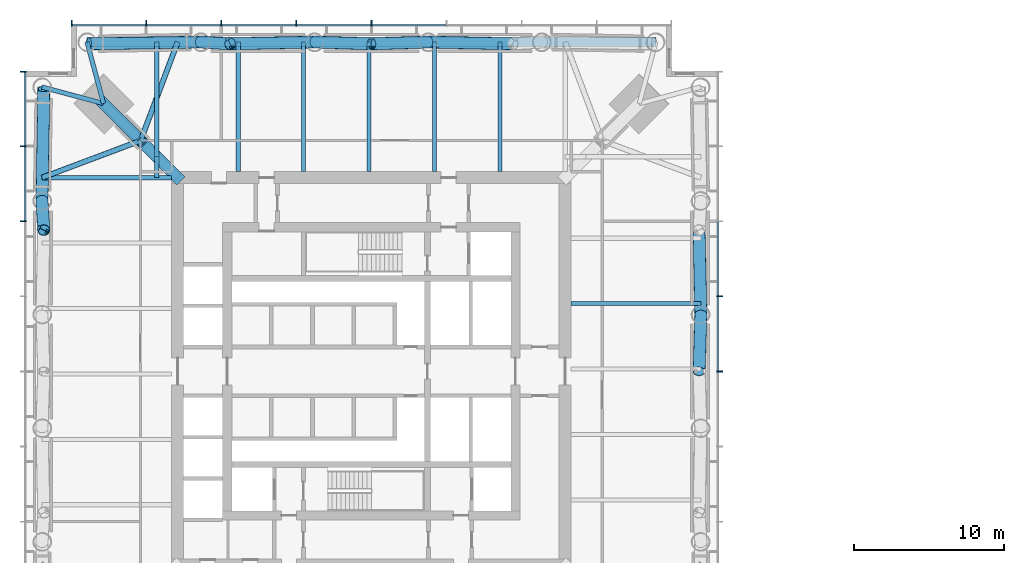
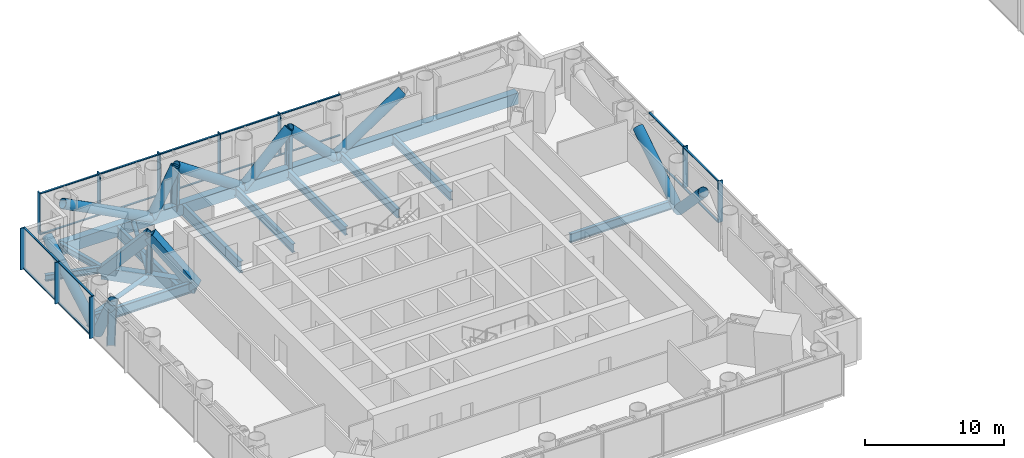
# One storey, part 4 of 18: 48 members, 11 beams, 3 elements without a shape of their own.
"""IFC4 building model written with IfcOpenShell, lengths in metres."""

from ifc_helpers import new_model, si_unit, direction, frame, origin, origin_2d, place, context, subcontext, project, spatial, rectangle, hollow_rectangle, hollow_circle, i_section, extrude, material, material_profile, profile_set, type_object, element, aggregate, save


model = new_model("IFC4")

# Units and contexts
model_context = context("Model", 3, precision=1e-05, world=origin(), true_north=direction((0.0, 1.0)))
body_context = subcontext(model_context, "Body", "Model", "MODEL_VIEW")
ifc_project = project(units=[si_unit("LENGTHUNIT", "METRE"), si_unit("AREAUNIT", "SQUARE_METRE"), si_unit("VOLUMEUNIT", "CUBIC_METRE"), si_unit("PLANEANGLEUNIT", "RADIAN"), si_unit("MASSUNIT", "GRAM", prefix="KILO")], contexts=[model_context])

# Site, building, storey
site_placement = place(None, origin())
site = spatial("IfcSite", under=ifc_project, at=site_placement, CompositionType="ELEMENT")
building_placement = place(site_placement, origin())
building = spatial("IfcBuilding", under=site, at=building_placement, Name="Ostroluk Exchange", CompositionType="ELEMENT")
storey_placement = place(building_placement, frame((0.0, 0.0, 85.60009765625)))
storey = spatial("IfcBuildingStorey", under=building, at=storey_placement, Name="L21", CompositionType="ELEMENT", Elevation=85.60009765625)

# Members
ifc_material_1 = material(Name="Steel S460", Category="steel")
ifc_material_profile_1 = material_profile(ifc_material_1, hollow_rectangle(XDim=0.60009765625, YDim=1.0, WallThickness=0.06005859375, at=origin_2d()), Name="BOX 600x1000x60")
ifc_profile_set_1 = profile_set([ifc_material_profile_1], Name="Steel S460")
member_type_1 = type_object("IfcMemberType", Name="Belt truss chord BOX 600x1000x60", PredefinedType="CHORD", material=ifc_profile_set_1)
member_1_placement = place(storey_placement, frame((63.935791015625, 67.935791015625, -0.780029296875), z_axis=(-1.0, 0.0, 0.0), x_axis=(0.0, -1.0, 0.0)))
element("IfcMember", 1, at=member_1_placement, inside=storey, type_object=member_type_1, Name="Belt truss 1 north chord 2", PredefinedType="CHORD", context=body_context, shape_type="SweptSolid", body=[
    extrude(hollow_rectangle(XDim=0.60009765625, YDim=1.0, WallThickness=0.06005859375, at=origin_2d()), origin(), (0.0, 0.0, 1.0), 37.87158203125),
])
ifc_material_2 = material(Name="Steel S460", Category="steel")
ifc_material_profile_2 = material_profile(ifc_material_2, hollow_circle(Radius=0.406494140625, WallThickness=0.030029296875, at=origin_2d()), Name="CHS 813x30")
ifc_profile_set_2 = profile_set([ifc_material_profile_2], Name="Steel S460")
member_type_2 = type_object("IfcMemberType", Name="Belt truss diagonal CHS 813x30", PredefinedType="BRACE", material=ifc_profile_set_2)
member_2_placement = place(storey_placement, frame((66.935791015625, 49.787109375, -0.780029296875), z_axis=(-0.022419112202, -0.69832383229, 0.715430785376), x_axis=(0.999485058916, -0.032087645651, 0.0)))
element("IfcMember", 2, at=member_2_placement, inside=storey, type_object=member_type_2, Name="Belt truss 1 east diagonal 2.5", PredefinedType="BRACE", context=body_context, shape_type="SweptSolid", body=[
    extrude(hollow_circle(Radius=0.406494140625, WallThickness=0.030029296875, at=origin_2d()), origin(), (0.0, 0.0, 1.0), 5.423095703125),
])
for number, where, z_axis, x_axis, name in (
    (3, (66.935791015625, 49.787109375, -0.780029296875), (-0.017800204783, 0.822812678906, 0.568033844187), (-0.999766080921, -0.021628301837, 0.0), "Belt truss 1 east diagonal 2.6"),
    (4, (48.787109375, 67.935791015625, -0.780029296875), (0.822812678906, -0.017800204783, 0.568033844187), (0.021628301837, 0.999766080921, 0.0), "Belt truss 1 north diagonal 2.3"),
):
    element("IfcMember", number, at=place(storey_placement, frame(where, z_axis=z_axis, x_axis=x_axis)), inside=storey, type_object=member_type_2, Name=name, PredefinedType="BRACE", context=body_context, shape_type="SweptSolid", body=[
        extrude(hollow_circle(Radius=0.406494140625, WallThickness=0.030029296875, at=origin_2d()), origin(), (0.0, 0.0, 1.0), 6.830322265625),
    ])
for number, where, z_axis, x_axis, name in (
    (5, (48.787109375, 67.935791015625, -0.780029296875), (-0.69832383229, -0.022419112202, 0.715430785376), (0.032087645651, -0.999485058916, 0.0), "Belt truss 1 north diagonal 2.4"),
    (6, (41.212890625, 67.935791015625, -0.780029296875), (0.69832383229, -0.022419112202, 0.715430785376), (0.032087645651, 0.999485058916, 0.0), "Belt truss 1 north diagonal 2.5"),
):
    element("IfcMember", number, at=place(storey_placement, frame(where, z_axis=z_axis, x_axis=x_axis)), inside=storey, type_object=member_type_2, Name=name, PredefinedType="BRACE", context=body_context, shape_type="SweptSolid", body=[
        extrude(hollow_circle(Radius=0.406494140625, WallThickness=0.030029296875, at=origin_2d()), origin(), (0.0, 0.0, 1.0), 5.423095703125),
    ])
member_3_placement = place(storey_placement, frame((41.212890625, 67.935791015625, -0.780029296875), z_axis=(-0.822812678906, -0.017800204783, 0.568033844187), x_axis=(0.021628301837, -0.999766080921, 0.0)))
element("IfcMember", 7, at=member_3_placement, inside=storey, type_object=member_type_2, Name="Belt truss 1 north diagonal 2.6", PredefinedType="BRACE", context=body_context, shape_type="SweptSolid", body=[
    extrude(hollow_circle(Radius=0.406494140625, WallThickness=0.030029296875, at=origin_2d()), origin(), (0.0, 0.0, 1.0), 6.830322265625),
])
member_4_placement = place(storey_placement, frame((33.638671875, 67.935791015625, -0.780029296875), z_axis=(0.449643277912, -0.027976305897, 0.892769986579), x_axis=(0.062098808504, 0.998070006554, 0.0)))
element("IfcMember", 8, at=member_4_placement, inside=storey, type_object=member_type_2, Name="Belt truss 1 north diagonal 2.7", PredefinedType="BRACE", context=body_context, shape_type="SweptSolid", body=[
    extrude(hollow_circle(Radius=0.406494140625, WallThickness=0.030029296875, at=origin_2d()), origin(), (0.0, 0.0, 1.0), 4.345947265625),
])
for number, where, z_axis, x_axis, name in (
    (9, (33.638671875, 67.935791015625, -0.780029296875), (-0.886910254783, -0.014468546103, 0.461715129853), (0.016311257162, -0.999866962595, 0.0), "Belt truss 1 north diagonal 2.8"),
    (10, (23.064208984375, 57.361328125, -0.780029296875), (0.014468546103, 0.886910254783, 0.461715129853), (-0.999866962595, 0.016311257162, 0.0), "Belt truss 1 west diagonal 2.1"),
):
    element("IfcMember", number, at=place(storey_placement, frame(where, z_axis=z_axis, x_axis=x_axis)), inside=storey, type_object=member_type_2, Name=name, PredefinedType="BRACE", context=body_context, shape_type="SweptSolid", body=[
        extrude(hollow_circle(Radius=0.406494140625, WallThickness=0.030029296875, at=origin_2d()), origin(), (0.0, 0.0, 1.0), 8.403076171875),
    ])
member_5_placement = place(storey_placement, frame((23.064208984375, 57.361328125, -0.780029296875), z_axis=(0.027976305897, -0.449643277912, 0.892769986579), x_axis=(0.998070006554, 0.062098808504, 0.0)))
element("IfcMember", 11, at=member_5_placement, inside=storey, type_object=member_type_2, Name="Belt truss 1 west diagonal 2.2", PredefinedType="BRACE", context=body_context, shape_type="SweptSolid", body=[
    extrude(hollow_circle(Radius=0.406494140625, WallThickness=0.030029296875, at=origin_2d()), origin(), (0.0, 0.0, 1.0), 4.345947265625),
])
ifc_material_3 = material(Name="Steel S460", Category="steel")
ifc_material_profile_3 = material_profile(ifc_material_3, i_section(OverallWidth=0.304931640625, OverallDepth=0.6201171875, WebThickness=0.02099609375, FlangeThickness=0.0400390625, FilletRadius=0.027099609375, at=origin_2d()), Name="HEM 600")
ifc_profile_set_3 = profile_set([ifc_material_profile_3], Name="Steel S460")
member_type_3 = type_object("IfcMemberType", Name="Belt truss post HEM 600", PredefinedType="POST", material=ifc_profile_set_3)
member_6_placement = place(storey_placement, frame((45.0, 67.935791015625, -0.780029296875), z_axis=(0.0, -0.031321146962, 0.999509372519), x_axis=(1.0, 0.0, 0.0)))
element("IfcMember", 12, at=member_6_placement, inside=storey, type_object=member_type_3, Name="Belt truss 1 north post 2.4", PredefinedType="POST", context=body_context, shape_type="SweptSolid", body=[
    extrude(i_section(OverallWidth=0.304931640625, OverallDepth=0.6201171875, WebThickness=0.02099609375, FlangeThickness=0.0400390625, FilletRadius=0.027099609375, at=origin_2d()), origin(), (0.0, 0.0, 1.0), 3.8818359375),
])
for number, where, z_axis, x_axis, name in (
    (13, (35.5322265625, 67.935791015625, -0.780029296875), (0.015595782596, -0.031317337633, 0.999387810576), (0.895145027055, 0.445775033553, 0.0), "Belt truss 1 north post 2.6"),
    (14, (23.064208984375, 55.4677734375, -0.780029296875), (0.031317337633, -0.015595782596, 0.999387810576), (0.445775033553, 0.895145027055, 0.0), "Belt truss 1 west post 2.2"),
):
    element("IfcMember", number, at=place(storey_placement, frame(where, z_axis=z_axis, x_axis=x_axis)), inside=storey, type_object=member_type_3, Name=name, PredefinedType="POST", context=body_context, shape_type="SweptSolid", body=[
        extrude(i_section(OverallWidth=0.304931640625, OverallDepth=0.6201171875, WebThickness=0.02099609375, FlangeThickness=0.0400390625, FilletRadius=0.027099609375, at=origin_2d()), origin(), (0.0, 0.0, 1.0), 3.88232421875),
    ])

# Beams
ifc_material_4 = material(Name="Steel S355", Category="steel")
ifc_material_profile_4 = material_profile(ifc_material_4, i_section(OverallWidth=0.300048828125, OverallDepth=0.550048828125, WebThickness=0.014892578125, FlangeThickness=0.029052734375, FilletRadius=0.027099609375, at=origin_2d()), Name="HEB 550")
ifc_profile_set_4 = profile_set([ifc_material_profile_4], Name="Steel S355")
beam_type_1 = type_object("IfcBeamType", Name="Corner edge beam HEB 550", PredefinedType="SPANDREL", material=ifc_profile_set_4)
for number, where, z_axis, x_axis, name in (
    (15, (27.164306640625, 63.835693359375, -0.55517578125), (-0.259144268261, 0.965838624319, 0.0), (-0.965838624319, -0.259144268261, 0.0), "T1 north corner edge beam a"),
    (16, (27.164306640625, 63.835693359375, -0.55517578125), (-0.965838624319, 0.259144268261, 0.0), (-0.259144268261, -0.965838624319, 0.0), "T1 north corner edge beam b"),
):
    element("IfcBeam", number, at=place(storey_placement, frame(where, z_axis=z_axis, x_axis=x_axis)), inside=storey, type_object=beam_type_1, Name=name, PredefinedType="SPANDREL", context=body_context, shape_type="SweptSolid", body=[
        extrude(i_section(OverallWidth=0.300048828125, OverallDepth=0.550048828125, WebThickness=0.014892578125, FlangeThickness=0.029052734375, FilletRadius=0.027099609375, at=origin_2d()), origin(), (0.0, 0.0, 1.0), 4.2451171875),
    ])
ifc_material_5 = material(Name="Steel S355", Category="steel")
ifc_material_profile_5 = material_profile(ifc_material_5, i_section(OverallWidth=0.302001953125, OverallDepth=1.008056640625, WebThickness=0.02099609375, FlangeThickness=0.0400390625, FilletRadius=0.030029296875, at=origin_2d()), Name="HEM 1000")
ifc_profile_set_5 = profile_set([ifc_material_profile_5], Name="Steel S355")
beam_type_2 = type_object("IfcBeamType", Name="Floor beam HEM 1000", PredefinedType="BEAM", material=ifc_profile_set_5)
beam_1_placement = place(storey_placement, frame((36.127685546875, 59.300048828125, -0.7841796875), z_axis=(0.0, 1.0, 0.0), x_axis=(-1.0, 0.0, 0.0)))
element("IfcBeam", 17, at=beam_1_placement, inside=storey, type_object=beam_type_2, Name="T1 north floor beam 5", PredefinedType="BEAM", context=body_context, shape_type="SweptSolid", body=[
    extrude(i_section(OverallWidth=0.302001953125, OverallDepth=1.008056640625, WebThickness=0.02099609375, FlangeThickness=0.0400390625, FilletRadius=0.030029296875, at=origin_2d()), origin(), (0.0, 0.0, 1.0), 8.6357421875),
])
beam_2_placement = place(storey_placement, frame((30.699951171875, 58.89990234375, -0.7841796875), z_axis=(0.0, 1.0, 0.0), x_axis=(-1.0, 0.0, 0.0)))
element("IfcBeam", 18, at=beam_2_placement, inside=storey, type_object=beam_type_2, Name="T1 north floor beam 6", PredefinedType="BEAM", context=body_context, shape_type="SweptSolid", body=[
    extrude(i_section(OverallWidth=0.302001953125, OverallDepth=1.008056640625, WebThickness=0.02099609375, FlangeThickness=0.0400390625, FilletRadius=0.030029296875, at=origin_2d()), origin(), (0.0, 0.0, 1.0), 1.400146484375),
])
beam_3_placement = place(storey_placement, frame((30.699951171875, 60.300048828125, -0.7841796875), z_axis=(0.0, 1.0, 0.0), x_axis=(-1.0, 0.0, 0.0)))
element("IfcBeam", 19, at=beam_3_placement, inside=storey, type_object=beam_type_2, Name="T1 north floor beam 6", PredefinedType="BEAM", context=body_context, shape_type="SweptSolid", body=[
    extrude(i_section(OverallWidth=0.302001953125, OverallDepth=1.008056640625, WebThickness=0.02099609375, FlangeThickness=0.0400390625, FilletRadius=0.030029296875, at=origin_2d()), origin(), (0.0, 0.0, 1.0), 7.6357421875),
])
ifc_material_6 = material(Name="Steel S355", Category="steel")
ifc_material_profile_6 = material_profile(ifc_material_6, i_section(OverallWidth=0.26708984375, OverallDepth=0.761962890625, WebThickness=0.014404296875, FlangeThickness=0.021484375, FilletRadius=0.01708984375, at=origin_2d()), Name="IPE 750x173")
ifc_profile_set_6 = profile_set([ifc_material_profile_6], Name="Steel S355")
beam_type_3 = type_object("IfcBeamType", Name="Floor beam IPE 750x173", PredefinedType="BEAM", material=ifc_profile_set_6)
for number, where, z_axis, x_axis, name in (
    (20, (58.300048828125, 50.517822265625, -0.6611328125), (1.0, 0.0, 0.0), (0.0, 1.0, 0.0), "T1 east floor beam 4"),
    (21, (53.545654296875, 59.300048828125, -0.6611328125), (0.0, 1.0, 0.0), (-1.0, 0.0, 0.0), "T1 north floor beam 1"),
    (22, (49.191162109375, 59.300048828125, -0.6611328125), (0.0, 1.0, 0.0), (-1.0, 0.0, 0.0), "T1 north floor beam 2"),
    (23, (44.836669921875, 59.300048828125, -0.6611328125), (0.0, 1.0, 0.0), (-1.0, 0.0, 0.0), "T1 north floor beam 3"),
    (24, (40.482177734375, 59.300048828125, -0.6611328125), (0.0, 1.0, 0.0), (-1.0, 0.0, 0.0), "T1 north floor beam 4"),
):
    element("IfcBeam", number, at=place(storey_placement, frame(where, z_axis=z_axis, x_axis=x_axis)), inside=storey, type_object=beam_type_3, Name=name, PredefinedType="BEAM", context=body_context, shape_type="SweptSolid", body=[
        extrude(i_section(OverallWidth=0.26708984375, OverallDepth=0.761962890625, WebThickness=0.014404296875, FlangeThickness=0.021484375, FilletRadius=0.01708984375, at=origin_2d()), origin(), (0.0, 0.0, 1.0), 8.6357421875),
    ])
ifc_material_7 = material(Name="Steel S355", Category="steel")
ifc_material_profile_7 = material_profile(ifc_material_7, i_section(OverallWidth=0.300048828125, OverallDepth=0.89990234375, WebThickness=0.0185546875, FlangeThickness=0.034912109375, FilletRadius=0.030029296875, at=origin_2d()), Name="HEB 900")
ifc_profile_set_7 = profile_set([ifc_material_profile_7], Name="Steel S355")
beam_type_4 = type_object("IfcBeamType", Name="Girder HEB 900", PredefinedType="BEAM", material=ifc_profile_set_7)
beam_4_placement = place(storey_placement, frame((31.699951171875, 58.89990234375, -0.72998046875), z_axis=(-1.0, 0.0, 0.0), x_axis=(0.0, -1.0, 0.0)))
element("IfcBeam", 25, at=beam_4_placement, inside=storey, type_object=beam_type_4, Name="T1 north girder", PredefinedType="BEAM", context=body_context, shape_type="SweptSolid", body=[
    extrude(i_section(OverallWidth=0.300048828125, OverallDepth=0.89990234375, WebThickness=0.0185546875, FlangeThickness=0.034912109375, FilletRadius=0.030029296875, at=origin_2d()), origin(), (0.0, 0.0, 1.0), 8.6357421875),
])

# Members
ifc_material_8 = material(Name="Steel S460", Category="steel")
ifc_material_profile_8 = material_profile(ifc_material_8, hollow_rectangle(XDim=0.60009765625, YDim=1.0, WallThickness=0.06005859375, at=origin_2d()), Name="BOX 600x1000x60")
ifc_profile_set_8 = profile_set([ifc_material_profile_8], Name="Steel S460")
member_type_4 = type_object("IfcMemberType", Name="Outrigger chord BOX 600x1000x60", PredefinedType="CHORD", material=ifc_profile_set_8)
member_7_placement = place(storey_placement, frame((32.10009765625, 58.89990234375, -0.780029296875), z_axis=(-0.707106781187, 0.707106781187, 0.0), x_axis=(-0.707106781187, -0.707106781187, 0.0)))
element("IfcMember", 26, at=member_7_placement, inside=storey, type_object=member_type_4, Name="Outrigger 1 NW chord 2", PredefinedType="CHORD", context=body_context, shape_type="SweptSolid", body=[
    extrude(hollow_rectangle(XDim=0.60009765625, YDim=1.0, WallThickness=0.06005859375, at=origin_2d()), origin(), (0.0, 0.0, 1.0), 6.980224609375),
])
ifc_material_9 = material(Name="Steel S460", Category="steel")
ifc_material_profile_9 = material_profile(ifc_material_9, hollow_rectangle(XDim=0.800048828125, YDim=0.800048828125, WallThickness=0.050048828125, at=origin_2d()), Name="BOX 800x800x50")
ifc_profile_set_9 = profile_set([ifc_material_profile_9], Name="Steel S460")
member_type_5 = type_object("IfcMemberType", Name="Outrigger diagonal BOX 800x800x50", PredefinedType="BRACE", material=ifc_profile_set_9)
member_8_placement = place(storey_placement, frame((32.10009765625, 58.89990234375, -0.780029296875), z_axis=(-0.46636467632, 0.46636467632, 0.751670125362), x_axis=(-0.707106781187, -0.707106781187, 0.0)))
element("IfcMember", 27, at=member_8_placement, inside=storey, type_object=member_type_5, Name="Outrigger 1 NW diagonal 2a", PredefinedType="BRACE", context=body_context, shape_type="SweptSolid", body=[
    extrude(hollow_rectangle(XDim=0.800048828125, YDim=0.800048828125, WallThickness=0.050048828125, at=origin_2d()), origin(), (0.0, 0.0, 1.0), 5.16162109375),
])
member_9_placement = place(storey_placement, frame((29.69287109375, 61.30712890625, 3.099853515625), z_axis=(-0.479218339765, 0.479218339765, -0.735322762918), x_axis=(-0.707106781187, -0.707106781187, 0.0)))
element("IfcMember", 28, at=member_9_placement, inside=storey, type_object=member_type_5, Name="Outrigger 1 NW diagonal 2b", PredefinedType="BRACE", context=body_context, shape_type="SweptSolid", body=[
    extrude(hollow_rectangle(XDim=0.800048828125, YDim=0.800048828125, WallThickness=0.050048828125, at=origin_2d()), origin(), (0.0, 0.0, 1.0), 5.2763671875),
])
ifc_material_10 = material(Name="Steel S460", Category="steel")
ifc_material_profile_10 = material_profile(ifc_material_10, i_section(OverallWidth=0.306884765625, OverallDepth=0.431884765625, WebThickness=0.02099609375, FlangeThickness=0.0400390625, FilletRadius=0.027099609375, at=origin_2d()), Name="HEM 400")
ifc_profile_set_10 = profile_set([ifc_material_profile_10], Name="Steel S460")
member_type_6 = type_object("IfcMemberType", Name="Outrigger post HEM 400", PredefinedType="POST", material=ifc_profile_set_10)
member_10_placement = place(storey_placement, frame((29.632080078125, 61.367919921875, -0.780029296875), z_axis=(0.015664415706, -0.015664415706, 0.999754595969), x_axis=(0.707106781187, 0.707106781187, 0.0)))
element("IfcMember", 29, at=member_10_placement, inside=storey, type_object=member_type_6, Name="Outrigger 1 NW post 2", PredefinedType="POST", context=body_context, shape_type="SweptSolid", body=[
    extrude(i_section(OverallWidth=0.306884765625, OverallDepth=0.431884765625, WebThickness=0.02099609375, FlangeThickness=0.0400390625, FilletRadius=0.027099609375, at=origin_2d()), origin(), (0.0, 0.0, 1.0), 3.880859375),
])
ifc_material_11 = material(Name="Steel S460", Category="steel")
ifc_material_profile_11 = material_profile(ifc_material_11, hollow_circle(Radius=0.177734375, WallThickness=0.012451171875, at=origin_2d()), Name="CHS 355.6x12.5")
ifc_profile_set_11 = profile_set([ifc_material_profile_11], Name="Steel S460")
member_type_7 = type_object("IfcMemberType", Name="Plan bracing CHS 355.6x12.5", PredefinedType="BRACE", material=ifc_profile_set_11)
for number, where, z_axis, x_axis, name in (
    (30, (29.632080078125, 61.367919921875, -0.4580078125), (0.351756369041, 0.936091585711, 0.0), (-0.936091585711, 0.351756369041, 0.0), "Plan bracing L21 NW a"),
    (31, (29.632080078125, 61.367919921875, -0.4580078125), (-0.936091585711, -0.351756369041, 0.0), (0.351756369041, -0.936091585711, 0.0), "Plan bracing L21 NW b"),
):
    element("IfcMember", number, at=place(storey_placement, frame(where, z_axis=z_axis, x_axis=x_axis)), inside=storey, type_object=member_type_7, Name=name, PredefinedType="BRACE", context=body_context, shape_type="SweptSolid", body=[
        extrude(hollow_circle(Radius=0.177734375, WallThickness=0.012451171875, at=origin_2d()), origin(), (0.0, 0.0, 1.0), 7.016357421875),
    ])

# Curtain wall, members
ifc_material_12 = material(Name="Laminated clear glass", Category="glass")
curtain_wall_type = type_object("IfcCurtainWallType", Name="Office tower plant and sky lobby facade", PredefinedType="USERDEFINED", material=ifc_material_12)
curtain_wall_1_placement = place(storey_placement, origin())
curtain_wall_1 = element("IfcCurtainWall", 32, at=curtain_wall_1_placement, inside=storey, type_object=curtain_wall_type, Name="Office tower east facade L21", ObjectType="LOUVRED CURTAIN WALL", PredefinedType="USERDEFINED")
ifc_material_13 = material(Name="Aluminium mullion", Category="aluminium")
ifc_material_profile_12 = material_profile(ifc_material_13, rectangle(XDim=0.14990234375, YDim=0.080078125, at=origin_2d()), Name="Sill transom 80 x 150")
ifc_profile_set_12 = profile_set([ifc_material_profile_12], Name="Aluminium mullion")
member_type_8 = type_object("IfcMemberType", Name="Sill transom 80 x 150", PredefinedType="USERDEFINED", material=ifc_profile_set_12)
member_11_placement = place(storey_placement, frame((68.074951171875, 46.0400390625, 0.039794921875), z_axis=(0.0, 1.0, 0.0), x_axis=(-1.0, 0.0, 0.0)))
member_11 = element("IfcMember", 33, at=member_11_placement, type_object=member_type_8, Name="CW-P1 transom 5.1", ObjectType="TRANSOM", PredefinedType="USERDEFINED", context=body_context, shape_type="SweptSolid", body=[
    extrude(rectangle(XDim=0.14990234375, YDim=0.080078125, at=origin_2d()), origin(), (0.0, 0.0, 1.0), 4.919921875),
])
member_12_placement = place(storey_placement, frame((68.074951171875, 46.0400390625, 3.60986328125), z_axis=(0.0, 1.0, 0.0), x_axis=(-1.0, 0.0, 0.0)))
member_12 = element("IfcMember", 34, at=member_12_placement, type_object=member_type_8, Name="CW-P1 transom 5.2", ObjectType="TRANSOM", PredefinedType="USERDEFINED", context=body_context, shape_type="SweptSolid", body=[
    extrude(rectangle(XDim=0.14990234375, YDim=0.080078125, at=origin_2d()), origin(), (0.0, 0.0, 1.0), 4.919921875),
])
member_13_placement = place(storey_placement, frame((68.074951171875, 51.0400390625, 0.039794921875), z_axis=(0.0, 1.0, 0.0), x_axis=(-1.0, 0.0, 0.0)))
member_13 = element("IfcMember", 35, at=member_13_placement, type_object=member_type_8, Name="CW-P1 transom 6.1", ObjectType="TRANSOM", PredefinedType="USERDEFINED", context=body_context, shape_type="SweptSolid", body=[
    extrude(rectangle(XDim=0.14990234375, YDim=0.080078125, at=origin_2d()), origin(), (0.0, 0.0, 1.0), 4.919921875),
])
member_14_placement = place(storey_placement, frame((68.074951171875, 51.0400390625, 3.60986328125), z_axis=(0.0, 1.0, 0.0), x_axis=(-1.0, 0.0, 0.0)))
member_14 = element("IfcMember", 36, at=member_14_placement, type_object=member_type_8, Name="CW-P1 transom 6.2", ObjectType="TRANSOM", PredefinedType="USERDEFINED", context=body_context, shape_type="SweptSolid", body=[
    extrude(rectangle(XDim=0.14990234375, YDim=0.080078125, at=origin_2d()), origin(), (0.0, 0.0, 1.0), 4.919921875),
])

curtain_wall_2_placement = place(storey_placement, origin())
curtain_wall_2 = element("IfcCurtainWall", 37, at=curtain_wall_2_placement, inside=storey, type_object=curtain_wall_type, Name="Office tower north facade L21", ObjectType="LOUVRED CURTAIN WALL", PredefinedType="USERDEFINED")
member_15_placement = place(storey_placement, frame((49.9599609375, 69.074951171875, 0.039794921875), z_axis=(-1.0, 0.0, 0.0), x_axis=(0.0, -1.0, 0.0)))
member_15 = element("IfcMember", 38, at=member_15_placement, type_object=member_type_8, Name="CW-P1 transom 4.1", ObjectType="TRANSOM", PredefinedType="USERDEFINED", context=body_context, shape_type="SweptSolid", body=[
    extrude(rectangle(XDim=0.14990234375, YDim=0.080078125, at=origin_2d()), origin(), (0.0, 0.0, 1.0), 4.919921875),
])
member_16_placement = place(storey_placement, frame((49.9599609375, 69.074951171875, 3.60986328125), z_axis=(-1.0, 0.0, 0.0), x_axis=(0.0, -1.0, 0.0)))
member_16 = element("IfcMember", 39, at=member_16_placement, type_object=member_type_8, Name="CW-P1 transom 4.2", ObjectType="TRANSOM", PredefinedType="USERDEFINED", context=body_context, shape_type="SweptSolid", body=[
    extrude(rectangle(XDim=0.14990234375, YDim=0.080078125, at=origin_2d()), origin(), (0.0, 0.0, 1.0), 4.919921875),
])
member_17_placement = place(storey_placement, frame((44.9599609375, 69.074951171875, 0.039794921875), z_axis=(-1.0, 0.0, 0.0), x_axis=(0.0, -1.0, 0.0)))
member_17 = element("IfcMember", 40, at=member_17_placement, type_object=member_type_8, Name="CW-P1 transom 5.1", ObjectType="TRANSOM", PredefinedType="USERDEFINED", context=body_context, shape_type="SweptSolid", body=[
    extrude(rectangle(XDim=0.14990234375, YDim=0.080078125, at=origin_2d()), origin(), (0.0, 0.0, 1.0), 4.919921875),
])
member_18_placement = place(storey_placement, frame((44.9599609375, 69.074951171875, 3.60986328125), z_axis=(-1.0, 0.0, 0.0), x_axis=(0.0, -1.0, 0.0)))
member_18 = element("IfcMember", 41, at=member_18_placement, type_object=member_type_8, Name="CW-P1 transom 5.2", ObjectType="TRANSOM", PredefinedType="USERDEFINED", context=body_context, shape_type="SweptSolid", body=[
    extrude(rectangle(XDim=0.14990234375, YDim=0.080078125, at=origin_2d()), origin(), (0.0, 0.0, 1.0), 4.919921875),
])
member_19_placement = place(storey_placement, frame((39.9599609375, 69.074951171875, 0.039794921875), z_axis=(-1.0, 0.0, 0.0), x_axis=(0.0, -1.0, 0.0)))
member_19 = element("IfcMember", 42, at=member_19_placement, type_object=member_type_8, Name="CW-P1 transom 6.1", ObjectType="TRANSOM", PredefinedType="USERDEFINED", context=body_context, shape_type="SweptSolid", body=[
    extrude(rectangle(XDim=0.14990234375, YDim=0.080078125, at=origin_2d()), origin(), (0.0, 0.0, 1.0), 4.919921875),
])
member_20_placement = place(storey_placement, frame((39.9599609375, 69.074951171875, 3.60986328125), z_axis=(-1.0, 0.0, 0.0), x_axis=(0.0, -1.0, 0.0)))
member_20 = element("IfcMember", 43, at=member_20_placement, type_object=member_type_8, Name="CW-P1 transom 6.2", ObjectType="TRANSOM", PredefinedType="USERDEFINED", context=body_context, shape_type="SweptSolid", body=[
    extrude(rectangle(XDim=0.14990234375, YDim=0.080078125, at=origin_2d()), origin(), (0.0, 0.0, 1.0), 4.919921875),
])
member_21_placement = place(storey_placement, frame((34.9599609375, 69.074951171875, 0.039794921875), z_axis=(-1.0, 0.0, 0.0), x_axis=(0.0, -1.0, 0.0)))
member_21 = element("IfcMember", 44, at=member_21_placement, type_object=member_type_8, Name="CW-P1 transom 7.1", ObjectType="TRANSOM", PredefinedType="USERDEFINED", context=body_context, shape_type="SweptSolid", body=[
    extrude(rectangle(XDim=0.14990234375, YDim=0.080078125, at=origin_2d()), origin(), (0.0, 0.0, 1.0), 4.919921875),
])
member_22_placement = place(storey_placement, frame((34.9599609375, 69.074951171875, 3.60986328125), z_axis=(-1.0, 0.0, 0.0), x_axis=(0.0, -1.0, 0.0)))
member_22 = element("IfcMember", 45, at=member_22_placement, type_object=member_type_8, Name="CW-P1 transom 7.2", ObjectType="TRANSOM", PredefinedType="USERDEFINED", context=body_context, shape_type="SweptSolid", body=[
    extrude(rectangle(XDim=0.14990234375, YDim=0.080078125, at=origin_2d()), origin(), (0.0, 0.0, 1.0), 4.919921875),
])
member_23_placement = place(storey_placement, frame((29.9599609375, 69.074951171875, 0.039794921875), z_axis=(-1.0, 0.0, 0.0), x_axis=(0.0, -1.0, 0.0)))
member_23 = element("IfcMember", 46, at=member_23_placement, type_object=member_type_8, Name="CW-P1 transom 8.1", ObjectType="TRANSOM", PredefinedType="USERDEFINED", context=body_context, shape_type="SweptSolid", body=[
    extrude(rectangle(XDim=0.14990234375, YDim=0.080078125, at=origin_2d()), origin(), (0.0, 0.0, 1.0), 4.8798828125),
])
member_24_placement = place(storey_placement, frame((29.9599609375, 69.074951171875, 3.60986328125), z_axis=(-1.0, 0.0, 0.0), x_axis=(0.0, -1.0, 0.0)))
member_24 = element("IfcMember", 47, at=member_24_placement, type_object=member_type_8, Name="CW-P1 transom 8.2", ObjectType="TRANSOM", PredefinedType="USERDEFINED", context=body_context, shape_type="SweptSolid", body=[
    extrude(rectangle(XDim=0.14990234375, YDim=0.080078125, at=origin_2d()), origin(), (0.0, 0.0, 1.0), 4.8798828125),
])

curtain_wall_3_placement = place(storey_placement, origin())
curtain_wall_3 = element("IfcCurtainWall", 48, at=curtain_wall_3_placement, inside=storey, type_object=curtain_wall_type, Name="Office tower west facade L21", ObjectType="LOUVRED CURTAIN WALL", PredefinedType="USERDEFINED")
member_25_placement = place(storey_placement, frame((21.925048828125, 65.919921875, 0.039794921875), z_axis=(0.0, -1.0, 0.0), x_axis=(1.0, 0.0, 0.0)))
member_25 = element("IfcMember", 49, at=member_25_placement, type_object=member_type_8, Name="CW-P1 transom 1.1", ObjectType="TRANSOM", PredefinedType="USERDEFINED", context=body_context, shape_type="SweptSolid", body=[
    extrude(rectangle(XDim=0.14990234375, YDim=0.080078125, at=origin_2d()), origin(), (0.0, 0.0, 1.0), 4.8798828125),
])
member_26_placement = place(storey_placement, frame((21.925048828125, 65.919921875, 3.60986328125), z_axis=(0.0, -1.0, 0.0), x_axis=(1.0, 0.0, 0.0)))
member_26 = element("IfcMember", 50, at=member_26_placement, type_object=member_type_8, Name="CW-P1 transom 1.2", ObjectType="TRANSOM", PredefinedType="USERDEFINED", context=body_context, shape_type="SweptSolid", body=[
    extrude(rectangle(XDim=0.14990234375, YDim=0.080078125, at=origin_2d()), origin(), (0.0, 0.0, 1.0), 4.8798828125),
])
member_27_placement = place(storey_placement, frame((21.925048828125, 60.9599609375, 0.039794921875), z_axis=(0.0, -1.0, 0.0), x_axis=(1.0, 0.0, 0.0)))
member_27 = element("IfcMember", 51, at=member_27_placement, type_object=member_type_8, Name="CW-P1 transom 2.1", ObjectType="TRANSOM", PredefinedType="USERDEFINED", context=body_context, shape_type="SweptSolid", body=[
    extrude(rectangle(XDim=0.14990234375, YDim=0.080078125, at=origin_2d()), origin(), (0.0, 0.0, 1.0), 4.919921875),
])
member_28_placement = place(storey_placement, frame((21.925048828125, 60.9599609375, 3.60986328125), z_axis=(0.0, -1.0, 0.0), x_axis=(1.0, 0.0, 0.0)))
member_28 = element("IfcMember", 52, at=member_28_placement, type_object=member_type_8, Name="CW-P1 transom 2.2", ObjectType="TRANSOM", PredefinedType="USERDEFINED", context=body_context, shape_type="SweptSolid", body=[
    extrude(rectangle(XDim=0.14990234375, YDim=0.080078125, at=origin_2d()), origin(), (0.0, 0.0, 1.0), 4.919921875),
])

# Member
ifc_material_14 = material(Name="Aluminium mullion with limestone facing", Category="masonry")
ifc_material_profile_13 = material_profile(ifc_material_14, rectangle(XDim=0.39990234375, YDim=0.080078125, at=origin_2d()), Name="Tracery mullion 80 x 400")
ifc_profile_set_13 = profile_set([ifc_material_profile_13], Name="Aluminium mullion with limestone facing")
member_type_9 = type_object("IfcMemberType", Name="Tracery mullion 80 x 400", PredefinedType="MULLION", material=ifc_profile_set_13)
member_29_placement = place(storey_placement, frame((68.199951171875, 46.0, 0.0), z_axis=(0.0, 0.0, 1.0), x_axis=(-1.0, 0.0, 0.0)))
member_29 = element("IfcMember", 53, at=member_29_placement, type_object=member_type_9, Name="CW-P1 mullion 5", PredefinedType="MULLION", context=body_context, shape_type="SweptSolid", body=[
    extrude(rectangle(XDim=0.39990234375, YDim=0.080078125, at=origin_2d()), origin(), (0.0, 0.0, 1.0), 3.64990234375),
])

member_30_placement = place(storey_placement, frame((68.199951171875, 51.0, 0.0), z_axis=(0.0, 0.0, 1.0), x_axis=(-1.0, 0.0, 0.0)))
member_30 = element("IfcMember", 54, at=member_30_placement, type_object=member_type_9, Name="CW-P1 mullion 6", PredefinedType="MULLION", context=body_context, shape_type="SweptSolid", body=[
    extrude(rectangle(XDim=0.39990234375, YDim=0.080078125, at=origin_2d()), origin(), (0.0, 0.0, 1.0), 3.64990234375),
])

aggregate(curtain_wall_1, [member_29, member_30, member_11, member_12, member_13, member_14])

member_31_placement = place(storey_placement, frame((45.0, 69.199951171875, 0.0), z_axis=(0.0, 0.0, 1.0), x_axis=(0.0, -1.0, 0.0)))
member_31 = element("IfcMember", 55, at=member_31_placement, type_object=member_type_9, Name="CW-P1 mullion 5", PredefinedType="MULLION", context=body_context, shape_type="SweptSolid", body=[
    extrude(rectangle(XDim=0.39990234375, YDim=0.080078125, at=origin_2d()), origin(), (0.0, 0.0, 1.0), 3.64990234375),
])

member_32_placement = place(storey_placement, frame((40.0, 69.199951171875, 0.0), z_axis=(0.0, 0.0, 1.0), x_axis=(0.0, -1.0, 0.0)))
member_32 = element("IfcMember", 56, at=member_32_placement, type_object=member_type_9, Name="CW-P1 mullion 6", PredefinedType="MULLION", context=body_context, shape_type="SweptSolid", body=[
    extrude(rectangle(XDim=0.39990234375, YDim=0.080078125, at=origin_2d()), origin(), (0.0, 0.0, 1.0), 3.64990234375),
])

member_33_placement = place(storey_placement, frame((35.0, 69.199951171875, 0.0), z_axis=(0.0, 0.0, 1.0), x_axis=(0.0, -1.0, 0.0)))
member_33 = element("IfcMember", 57, at=member_33_placement, type_object=member_type_9, Name="CW-P1 mullion 7", PredefinedType="MULLION", context=body_context, shape_type="SweptSolid", body=[
    extrude(rectangle(XDim=0.39990234375, YDim=0.080078125, at=origin_2d()), origin(), (0.0, 0.0, 1.0), 3.64990234375),
])

member_34_placement = place(storey_placement, frame((30.0, 69.199951171875, 0.0), z_axis=(0.0, 0.0, 1.0), x_axis=(0.0, -1.0, 0.0)))
member_34 = element("IfcMember", 58, at=member_34_placement, type_object=member_type_9, Name="CW-P1 mullion 8", PredefinedType="MULLION", context=body_context, shape_type="SweptSolid", body=[
    extrude(rectangle(XDim=0.39990234375, YDim=0.080078125, at=origin_2d()), origin(), (0.0, 0.0, 1.0), 3.64990234375),
])

member_35_placement = place(storey_placement, frame((25.0400390625, 69.199951171875, 0.0), z_axis=(0.0, 0.0, 1.0), x_axis=(0.0, -1.0, 0.0)))
member_35 = element("IfcMember", 59, at=member_35_placement, type_object=member_type_9, Name="CW-P1 mullion 9", PredefinedType="MULLION", context=body_context, shape_type="SweptSolid", body=[
    extrude(rectangle(XDim=0.39990234375, YDim=0.080078125, at=origin_2d()), origin(), (0.0, 0.0, 1.0), 3.64990234375),
])

aggregate(curtain_wall_2, [member_31, member_32, member_33, member_34, member_35, member_15, member_16, member_17, member_18, member_19, member_20, member_21, member_22, member_23, member_24])

member_36_placement = place(storey_placement, frame((21.800048828125, 65.9599609375, 0.0), z_axis=(0.0, 0.0, 1.0), x_axis=(1.0, 0.0, 0.0)))
member_36 = element("IfcMember", 60, at=member_36_placement, type_object=member_type_9, Name="CW-P1 mullion 1", PredefinedType="MULLION", context=body_context, shape_type="SweptSolid", body=[
    extrude(rectangle(XDim=0.39990234375, YDim=0.080078125, at=origin_2d()), origin(), (0.0, 0.0, 1.0), 3.64990234375),
])

member_37_placement = place(storey_placement, frame((21.800048828125, 61.0, 0.0), z_axis=(0.0, 0.0, 1.0), x_axis=(1.0, 0.0, 0.0)))
member_37 = element("IfcMember", 61, at=member_37_placement, type_object=member_type_9, Name="CW-P1 mullion 2", PredefinedType="MULLION", context=body_context, shape_type="SweptSolid", body=[
    extrude(rectangle(XDim=0.39990234375, YDim=0.080078125, at=origin_2d()), origin(), (0.0, 0.0, 1.0), 3.64990234375),
])

member_38_placement = place(storey_placement, frame((21.800048828125, 56.0, 0.0), z_axis=(0.0, 0.0, 1.0), x_axis=(1.0, 0.0, 0.0)))
member_38 = element("IfcMember", 62, at=member_38_placement, type_object=member_type_9, Name="CW-P1 mullion 3", PredefinedType="MULLION", context=body_context, shape_type="SweptSolid", body=[
    extrude(rectangle(XDim=0.39990234375, YDim=0.080078125, at=origin_2d()), origin(), (0.0, 0.0, 1.0), 3.64990234375),
])

aggregate(curtain_wall_3, [member_36, member_37, member_38, member_25, member_26, member_27, member_28])

save(model, "model.ifc")
